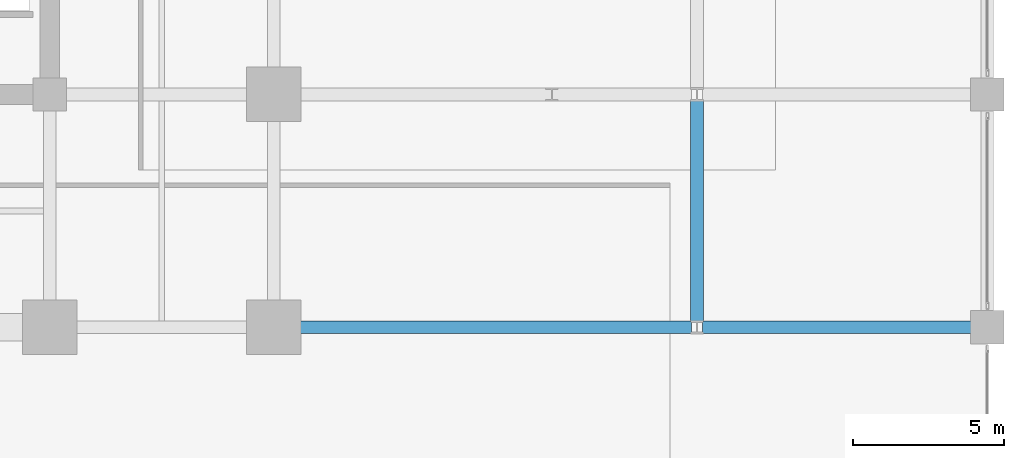
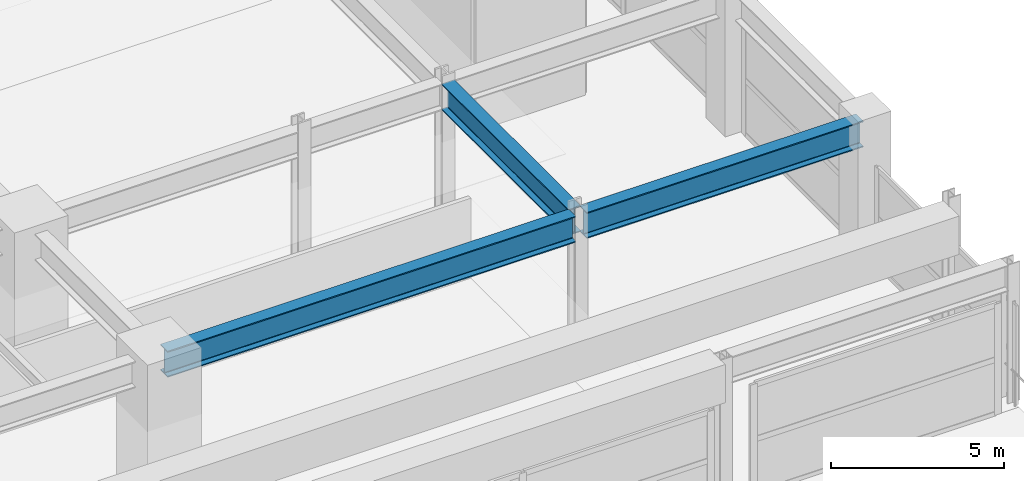
# One storey, part 26 of 45: 3 beams.
"""IFC4 building model written with IfcOpenShell, lengths in metres."""

from ifc_helpers import new_model, si_unit, direction, frame, origin, origin_2d, place, context, subcontext, project, spatial, i_section, extrude, material, material_profile, profile_set, type_object, element, save


model = new_model("IFC4")

# Units and contexts
model_context = context("Model", 3, precision=1e-05, world=origin(), true_north=direction((0.0, 1.0)))
body_context = subcontext(model_context, "Body", "Model", "MODEL_VIEW")
ifc_project = project(units=[si_unit("LENGTHUNIT", "METRE"), si_unit("AREAUNIT", "SQUARE_METRE"), si_unit("VOLUMEUNIT", "CUBIC_METRE"), si_unit("PLANEANGLEUNIT", "RADIAN"), si_unit("MASSUNIT", "GRAM", prefix="KILO")], contexts=[model_context])

# Site, building, storey
site_placement = place(None, origin())
site = spatial("IfcSite", under=ifc_project, at=site_placement, CompositionType="ELEMENT")
building_placement = place(site_placement, origin())
building = spatial("IfcBuilding", under=site, at=building_placement, Name="Kovane Verandah Tower", CompositionType="ELEMENT")
storey_placement = place(building_placement, frame((0.0, 0.0, 6.0)))
storey = spatial("IfcBuildingStorey", under=building, at=storey_placement, Name="L01", CompositionType="ELEMENT", Elevation=6.0)

# Beams
ifc_material = material(Name="Steel S460", Category="steel")
ifc_material_profile = material_profile(ifc_material, i_section(OverallWidth=0.42041015625, OverallDepth=0.9208984375, WebThickness=0.021484375, FlangeThickness=0.03662109375, FilletRadius=0.024169921875, at=origin_2d()), Name="UB914x419x388")
ifc_profile_set = profile_set([ifc_material_profile], Name="Steel S460")
beam_type = type_object("IfcBeamType", Name="BM-UB914x388", PredefinedType="BEAM", material=ifc_profile_set)
beam_1_placement = place(storey_placement, frame((58.580078125, 10.800048828125, 4.439453125), z_axis=(1.0, 0.0, 0.0), x_axis=(0.0, 1.0, 0.0)))
element("IfcBeam", 1, at=beam_1_placement, inside=storey, type_object=beam_type, Name="L01 Podium Grid Girder X03", PredefinedType="BEAM", context=body_context, shape_type="SweptSolid", body=[
    extrude(i_section(OverallWidth=0.42041015625, OverallDepth=0.9208984375, WebThickness=0.021484375, FlangeThickness=0.03662109375, FilletRadius=0.024169921875, at=origin_2d()), origin(), (0.0, 0.0, 1.0), 13.639892578125),
])
beam_2_placement = place(storey_placement, frame((72.580078125, 10.800048828125, 4.439453125), z_axis=(1.0, 0.0, 0.0), x_axis=(0.0, 1.0, 0.0)))
element("IfcBeam", 2, at=beam_2_placement, inside=storey, type_object=beam_type, Name="L01 Podium Grid Girder X04", PredefinedType="BEAM", context=body_context, shape_type="SweptSolid", body=[
    extrude(i_section(OverallWidth=0.42041015625, OverallDepth=0.9208984375, WebThickness=0.021484375, FlangeThickness=0.03662109375, FilletRadius=0.024169921875, at=origin_2d()), origin(), (0.0, 0.0, 1.0), 9.239990234375),
])
beam_3_placement = place(storey_placement, frame((72.39990234375, 10.97998046875, 4.439453125), z_axis=(0.0, 1.0, 0.0), x_axis=(-1.0, 0.0, 0.0)))
element("IfcBeam", 3, at=beam_3_placement, inside=storey, type_object=beam_type, Name="L01 Podium Grid Girder Y36", PredefinedType="BEAM", context=body_context, shape_type="SweptSolid", body=[
    extrude(i_section(OverallWidth=0.42041015625, OverallDepth=0.9208984375, WebThickness=0.021484375, FlangeThickness=0.03662109375, FilletRadius=0.024169921875, at=origin_2d()), origin(), (0.0, 0.0, 1.0), 7.340087890625),
])

save(model, "model.ifc")
